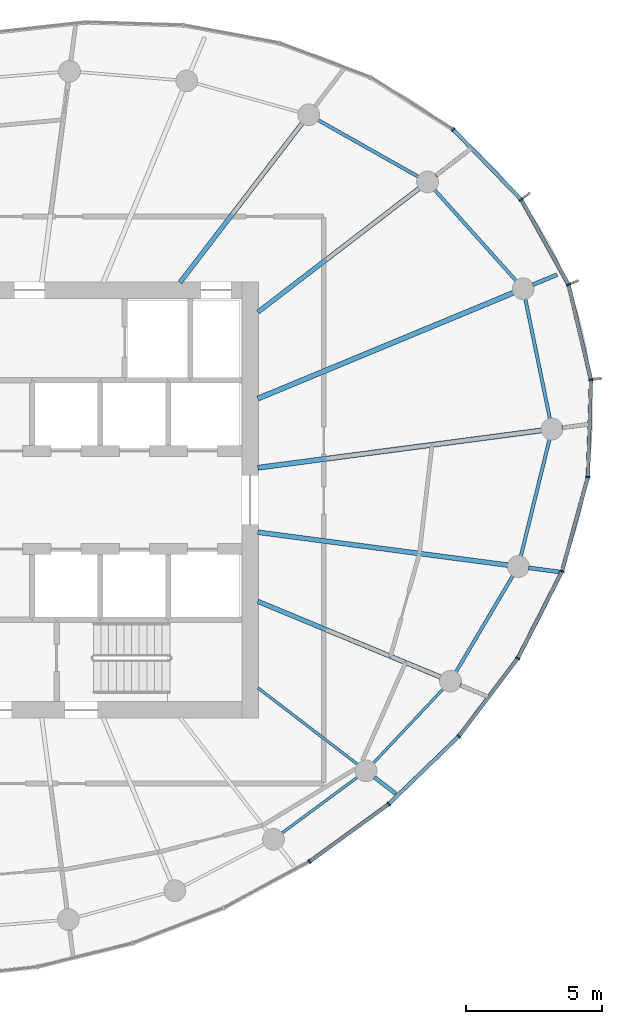
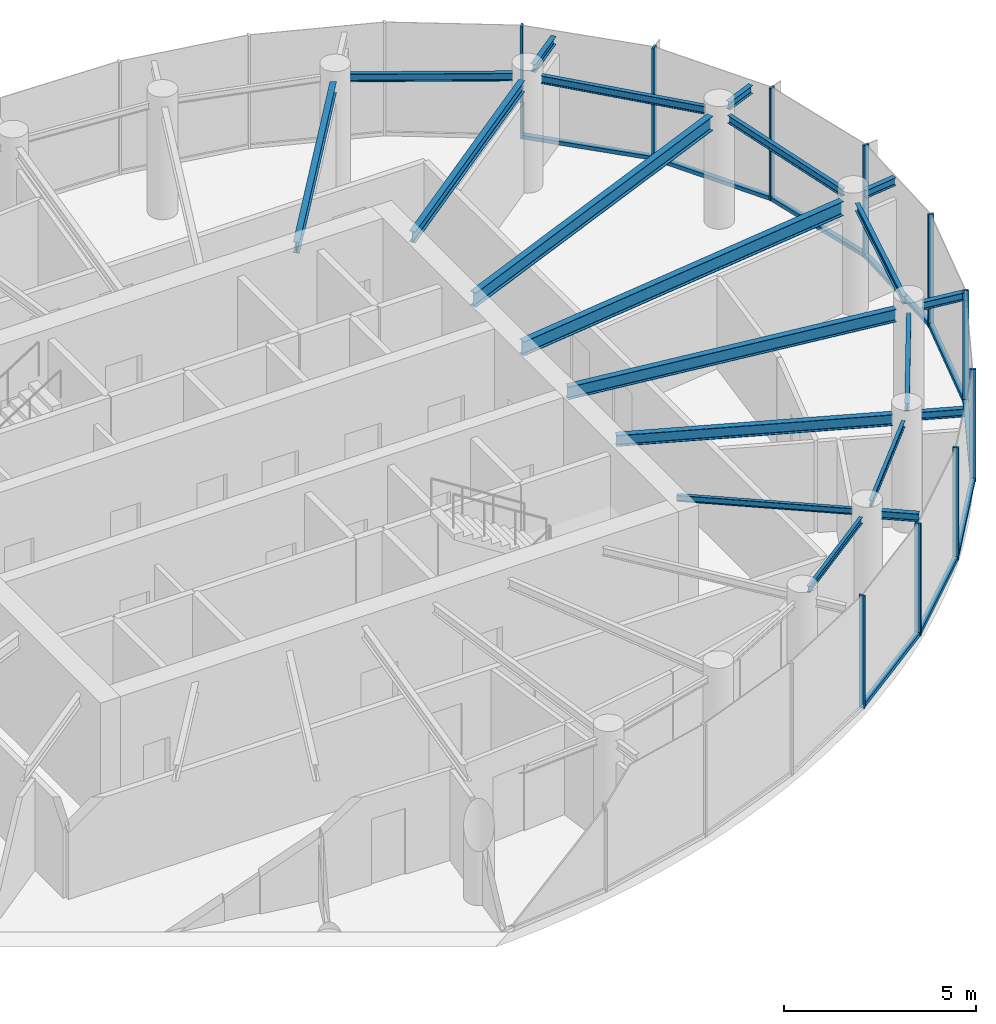
# One storey, part 5 of 13: 20 beams, 19 members, 3 elements without a shape of their own.
"""IFC4 building model written with IfcOpenShell, lengths in metres."""

from ifc_helpers import new_model, si_unit, direction, frame, origin, origin_2d, place, context, subcontext, project, spatial, rectangle, i_section, extrude, source, transform, mapped, material, layer, layer_set, material_profile, profile_set, type_object, element, aggregate, save


model = new_model("IFC4")

# Units and contexts
model_context = context("Model", 3, precision=1e-05, world=origin(), true_north=direction((0.0, 1.0)))
body_context = subcontext(model_context, "Body", "Model", "MODEL_VIEW")
ifc_project = project(units=[si_unit("LENGTHUNIT", "METRE"), si_unit("AREAUNIT", "SQUARE_METRE"), si_unit("VOLUMEUNIT", "CUBIC_METRE"), si_unit("PLANEANGLEUNIT", "RADIAN"), si_unit("MASSUNIT", "GRAM", prefix="KILO")], contexts=[model_context])

# Site, building, storey
site_placement = place(None, origin())
site = spatial("IfcSite", under=ifc_project, at=site_placement, CompositionType="ELEMENT")
building_placement = place(site_placement, origin())
building = spatial("IfcBuilding", under=site, at=building_placement, Name="Spindrift Exchange Tower", CompositionType="ELEMENT")
storey_placement = place(building_placement, frame((0.0, 0.0, 242.300048828125)))
storey = spatial("IfcBuildingStorey", under=building, at=storey_placement, Name="L59", CompositionType="ELEMENT", Elevation=242.300048828125)

# Beams
ifc_material_1 = material(Name="Steel Grade 300", Category="steel")
ifc_material_profile_1 = material_profile(ifc_material_1, i_section(OverallWidth=0.18994140625, OverallDepth=0.4541015625, WebThickness=0.008544921875, FlangeThickness=0.0126953125, FilletRadius=0.013916015625, at=origin_2d()), Name="460UB67.1")
ifc_profile_set_1 = profile_set([ifc_material_profile_1], Name="Steel Grade 300")
beam_type_1 = type_object("IfcBeamType", Name="Floor Beam 460UB67.1 Steel Grade 300", PredefinedType="BEAM", material=ifc_profile_set_1)
shared_shape_1 = source(origin(), body_context, "Body", "SweptSolid", [
    extrude(i_section(OverallWidth=0.18994140625, OverallDepth=0.4541015625, WebThickness=0.008544921875, FlangeThickness=0.0126953125, FilletRadius=0.013916015625, at=origin_2d()), origin(), (0.0, 0.0, 1.0), 10.510009765625),
])
beam_1_placement = place(storey_placement, frame((60.980224609375, 49.182373046875, 3.35302734375), z_axis=(0.991445042488, 0.130524816516, 0.0), x_axis=(-0.130524816516, 0.991445042488, 0.0)))
element("IfcBeam", 1, at=beam_1_placement, inside=storey, type_object=beam_type_1, Name="L59 radial beam R01A", PredefinedType="BEAM", context=body_context, shape_type="MappedRepresentation", body=[
    mapped(shared_shape_1, transform((0.0, 0.0, 0.0), scale=1.0)),
])
shared_shape_2 = source(origin(), body_context, "Body", "SweptSolid", [
    extrude(i_section(OverallWidth=0.18994140625, OverallDepth=0.4541015625, WebThickness=0.008544921875, FlangeThickness=0.0126953125, FilletRadius=0.013916015625, at=origin_2d()), origin(), (0.0, 0.0, 1.0), 10.160400390625),
])
beam_2_placement = place(storey_placement, frame((60.9814453125, 51.72021484375, 3.35302734375), z_axis=(0.923880358773, 0.382681437588, 0.0), x_axis=(-0.382681437588, 0.923880358773, 0.0)))
element("IfcBeam", 2, at=beam_2_placement, inside=storey, type_object=beam_type_1, Name="L59 radial beam R02A", PredefinedType="BEAM", context=body_context, shape_type="MappedRepresentation", body=[
    mapped(shared_shape_2, transform((0.0, 0.0, 0.0), scale=1.0)),
])
ifc_material_profile_2 = material_profile(ifc_material_1, i_section(OverallWidth=0.1708984375, OverallDepth=0.35205078125, WebThickness=0.0068359375, FlangeThickness=0.009765625, FilletRadius=0.013916015625, at=origin_2d()), Name="360UB44.7")
ifc_profile_set_2 = profile_set([ifc_material_profile_2], Name="Steel Grade 300")
beam_type_2 = type_object("IfcBeamType", Name="Floor Beam 360UB44.7 Steel Grade 300", PredefinedType="BEAM", material=ifc_profile_set_2)
shared_shape_3 = source(origin(), body_context, "Body", "SweptSolid", [
    extrude(i_section(OverallWidth=0.1708984375, OverallDepth=0.35205078125, WebThickness=0.0068359375, FlangeThickness=0.009765625, FilletRadius=0.013916015625, at=origin_2d()), origin(), (0.0, 0.0, 1.0), 7.466796875),
])
beam_3_placement = place(storey_placement, frame((60.984130859375, 54.893798828125, 3.404052734375), z_axis=(0.793360004804, 0.608752743548, 0.0), x_axis=(-0.608752743548, 0.793360004804, 0.0)))
element("IfcBeam", 3, at=beam_3_placement, inside=storey, type_object=beam_type_2, Name="L59 radial beam R03A", PredefinedType="BEAM", context=body_context, shape_type="MappedRepresentation", body=[
    mapped(shared_shape_3, transform((0.0, 0.0, 0.0), scale=1.0)),
])
shared_shape_4 = source(origin(), body_context, "Body", "SweptSolid", [
    extrude(i_section(OverallWidth=0.1708984375, OverallDepth=0.35205078125, WebThickness=0.0068359375, FlangeThickness=0.009765625, FilletRadius=0.013916015625, at=origin_2d()), origin(), (0.0, 0.0, 1.0), 7.3740234375),
])
beam_4_placement = place(storey_placement, frame((58.12646484375, 55.984130859375, 3.404052734375), z_axis=(0.608751913917, 0.793360641387, 0.0), x_axis=(-0.793360641387, 0.608751913917, 0.0)))
element("IfcBeam", 4, at=beam_4_placement, inside=storey, type_object=beam_type_2, Name="L59 radial beam R04A", PredefinedType="BEAM", context=body_context, shape_type="MappedRepresentation", body=[
    mapped(shared_shape_4, transform((0.0, 0.0, 0.0), scale=1.0)),
])
ifc_material_profile_3 = material_profile(ifc_material_1, i_section(OverallWidth=0.09912109375, OverallDepth=0.197998046875, WebThickness=0.00439453125, FlangeThickness=0.007080078125, FilletRadius=0.010986328125, at=origin_2d()), Name="200UB18.2")
ifc_profile_set_3 = profile_set([ifc_material_profile_3], Name="Steel Grade 300")
beam_type_3 = type_object("IfcBeamType", Name="Floor Beam 200UB18.2 Steel Grade 300", PredefinedType="BEAM", material=ifc_profile_set_3)
shared_shape_5 = source(origin(), body_context, "Body", "SweptSolid", [
    extrude(i_section(OverallWidth=0.09912109375, OverallDepth=0.197998046875, WebThickness=0.00439453125, FlangeThickness=0.007080078125, FilletRadius=0.010986328125, at=origin_2d()), origin(), (0.0, 0.0, 1.0), 4.622802734375),
])
beam_5_placement = place(storey_placement, frame((60.984130859375, 41.106201171875, 3.48095703125), z_axis=(0.793347882225, -0.608768542033, 0.0), x_axis=(0.608768542033, 0.793347882225, 0.0)))
element("IfcBeam", 5, at=beam_5_placement, inside=storey, type_object=beam_type_3, Name="L59 radial beam R22A", PredefinedType="BEAM", context=body_context, shape_type="MappedRepresentation", body=[
    mapped(shared_shape_5, transform((0.0, 0.0, 0.0), scale=1.0)),
])
shared_shape_6 = source(origin(), body_context, "Body", "SweptSolid", [
    extrude(i_section(OverallWidth=0.1708984375, OverallDepth=0.35205078125, WebThickness=0.0068359375, FlangeThickness=0.009765625, FilletRadius=0.013916015625, at=origin_2d()), origin(), (0.0, 0.0, 1.0), 7.272705078125),
])
beam_6_placement = place(storey_placement, frame((60.9814453125, 44.27978515625, 3.404052734375), z_axis=(0.923874446092, -0.382695711836, 0.0), x_axis=(0.382695711836, 0.923874446092, 0.0)))
element("IfcBeam", 6, at=beam_6_placement, inside=storey, type_object=beam_type_2, Name="L59 radial beam R23A", PredefinedType="BEAM", context=body_context, shape_type="MappedRepresentation", body=[
    mapped(shared_shape_6, transform((0.0, 0.0, 0.0), scale=1.0)),
])
ifc_material_profile_4 = material_profile(ifc_material_1, i_section(OverallWidth=0.177978515625, OverallDepth=0.403076171875, WebThickness=0.007568359375, FlangeThickness=0.010986328125, FilletRadius=0.013916015625, at=origin_2d()), Name="410UB53.7")
ifc_profile_set_4 = profile_set([ifc_material_profile_4], Name="Steel Grade 300")
beam_type_4 = type_object("IfcBeamType", Name="Floor Beam 410UB53.7 Steel Grade 300", PredefinedType="BEAM", material=ifc_profile_set_4)
shared_shape_7 = source(origin(), body_context, "Body", "SweptSolid", [
    extrude(i_section(OverallWidth=0.177978515625, OverallDepth=0.403076171875, WebThickness=0.007568359375, FlangeThickness=0.010986328125, FilletRadius=0.013916015625, at=origin_2d()), origin(), (0.0, 0.0, 1.0), 9.261962890625),
])
beam_7_placement = place(storey_placement, frame((60.980224609375, 46.817626953125, 3.37841796875), z_axis=(0.991447744872, -0.130504288008, 0.0), x_axis=(0.130504288008, 0.991447744872, 0.0)))
element("IfcBeam", 7, at=beam_7_placement, inside=storey, type_object=beam_type_4, Name="L59 radial beam R24A", PredefinedType="BEAM", context=body_context, shape_type="MappedRepresentation", body=[
    mapped(shared_shape_7, transform((0.0, 0.0, 0.0), scale=1.0)),
])
ifc_material_profile_5 = material_profile(ifc_material_1, i_section(OverallWidth=0.1240234375, OverallDepth=0.248046875, WebThickness=0.0048828125, FlangeThickness=0.008056640625, FilletRadius=0.011962890625, at=origin_2d()), Name="250UB25.7")
ifc_profile_set_5 = profile_set([ifc_material_profile_5], Name="Steel Grade 300")
beam_type_5 = type_object("IfcBeamType", Name="Edge Beam 250UB25.7 Steel Grade 300", PredefinedType="SPANDREL", material=ifc_profile_set_5)
shared_shape_8 = source(origin(), body_context, "Body", "SweptSolid", [
    extrude(i_section(OverallWidth=0.1240234375, OverallDepth=0.248046875, WebThickness=0.0048828125, FlangeThickness=0.008056640625, FilletRadius=0.011962890625, at=origin_2d()), origin(), (0.0, 0.0, 1.0), 4.497802734375),
])
beam_8_placement = place(storey_placement, frame((71.700927734375, 50.975830078125, 3.4560546875), z_axis=(-0.201217935785, 0.979546498293, 0.0), x_axis=(-0.979546498293, -0.201217935785, 0.0)))
element("IfcBeam", 8, at=beam_8_placement, inside=storey, type_object=beam_type_5, Name="L59 edge beam E01", PredefinedType="SPANDREL", context=body_context, shape_type="MappedRepresentation", body=[
    mapped(shared_shape_8, transform((0.0, 0.0, 0.0), scale=1.0)),
])
shared_shape_9 = source(origin(), body_context, "Body", "SweptSolid", [
    extrude(i_section(OverallWidth=0.1240234375, OverallDepth=0.248046875, WebThickness=0.0048828125, FlangeThickness=0.008056640625, FilletRadius=0.011962890625, at=origin_2d()), origin(), (0.0, 0.0, 1.0), 4.499755859375),
])
beam_9_placement = place(storey_placement, frame((70.466064453125, 56.036865234375, 3.4560546875), z_axis=(-0.667419502646, 0.744681950558, 0.0), x_axis=(-0.744681950558, -0.667419502646, 0.0)))
element("IfcBeam", 9, at=beam_9_placement, inside=storey, type_object=beam_type_5, Name="L59 edge beam E02", PredefinedType="SPANDREL", context=body_context, shape_type="MappedRepresentation", body=[
    mapped(shared_shape_9, transform((0.0, 0.0, 0.0), scale=1.0)),
])
shared_shape_10 = source(origin(), body_context, "Body", "SweptSolid", [
    extrude(i_section(OverallWidth=0.1240234375, OverallDepth=0.248046875, WebThickness=0.0048828125, FlangeThickness=0.008056640625, FilletRadius=0.011962890625, at=origin_2d()), origin(), (0.0, 0.0, 1.0), 4.2509765625),
])
beam_10_placement = place(storey_placement, frame((66.878662109375, 59.857666015625, 3.4560546875), z_axis=(-0.870615246867, 0.491964523033, 0.0), x_axis=(-0.491964523033, -0.870615246867, 0.0)))
element("IfcBeam", 10, at=beam_10_placement, inside=storey, type_object=beam_type_5, Name="L59 edge beam E03", PredefinedType="SPANDREL", context=body_context, shape_type="MappedRepresentation", body=[
    mapped(shared_shape_10, transform((0.0, 0.0, 0.0), scale=1.0)),
])
ifc_material_profile_6 = material_profile(ifc_material_1, i_section(OverallWidth=0.09912109375, OverallDepth=0.197998046875, WebThickness=0.00439453125, FlangeThickness=0.007080078125, FilletRadius=0.010986328125, at=origin_2d()), Name="200UB18.2")
ifc_profile_set_6 = profile_set([ifc_material_profile_6], Name="Steel Grade 300")
beam_type_6 = type_object("IfcBeamType", Name="Edge Beam 200UB18.2 Steel Grade 300", PredefinedType="SPANDREL", material=ifc_profile_set_6)
shared_shape_11 = source(origin(), body_context, "Body", "SweptSolid", [
    extrude(i_section(OverallWidth=0.09912109375, OverallDepth=0.197998046875, WebThickness=0.00439453125, FlangeThickness=0.007080078125, FilletRadius=0.010986328125, at=origin_2d()), origin(), (0.0, 0.0, 1.0), 3.466552734375),
])
beam_11_placement = place(storey_placement, frame((61.861083984375, 35.772705078125, 3.48095703125), z_axis=(0.803854022168, 0.594826622676, 0.0), x_axis=(-0.594826622676, 0.803854022168, 0.0)))
element("IfcBeam", 11, at=beam_11_placement, inside=storey, type_object=beam_type_6, Name="L59 edge beam E21", PredefinedType="SPANDREL", context=body_context, shape_type="MappedRepresentation", body=[
    mapped(shared_shape_11, transform((0.0, 0.0, 0.0), scale=1.0)),
])
shared_shape_12 = source(origin(), body_context, "Body", "SweptSolid", [
    extrude(i_section(OverallWidth=0.09912109375, OverallDepth=0.197998046875, WebThickness=0.00439453125, FlangeThickness=0.007080078125, FilletRadius=0.010986328125, at=origin_2d()), origin(), (0.0, 0.0, 1.0), 3.759765625),
])
beam_12_placement = place(storey_placement, frame((65.213623046875, 38.33740234375, 3.48095703125), z_axis=(0.685520646854, 0.72805318675, 0.0), x_axis=(-0.72805318675, 0.685520646854, 0.0)))
element("IfcBeam", 12, at=beam_12_placement, inside=storey, type_object=beam_type_6, Name="L59 edge beam E22", PredefinedType="SPANDREL", context=body_context, shape_type="MappedRepresentation", body=[
    mapped(shared_shape_12, transform((0.0, 0.0, 0.0), scale=1.0)),
])
shared_shape_13 = source(origin(), body_context, "Body", "SweptSolid", [
    extrude(i_section(OverallWidth=0.1240234375, OverallDepth=0.248046875, WebThickness=0.0048828125, FlangeThickness=0.008056640625, FilletRadius=0.011962890625, at=origin_2d()), origin(), (0.0, 0.0, 1.0), 4.128662109375),
])
beam_13_placement = place(storey_placement, frame((68.244873046875, 41.678466796875, 3.4560546875), z_axis=(0.509067946458, 0.860726336235, 0.0), x_axis=(-0.860726336235, 0.509067946458, 0.0)))
element("IfcBeam", 13, at=beam_13_placement, inside=storey, type_object=beam_type_5, Name="L59 edge beam E23", PredefinedType="SPANDREL", context=body_context, shape_type="MappedRepresentation", body=[
    mapped(shared_shape_13, transform((0.0, 0.0, 0.0), scale=1.0)),
])
shared_shape_14 = source(origin(), body_context, "Body", "SweptSolid", [
    extrude(i_section(OverallWidth=0.1240234375, OverallDepth=0.248046875, WebThickness=0.0048828125, FlangeThickness=0.008056640625, FilletRadius=0.011962890625, at=origin_2d()), origin(), (0.0, 0.0, 1.0), 4.43408203125),
])
beam_14_placement = place(storey_placement, frame((70.630615234375, 45.92822265625, 3.4560546875), z_axis=(0.238193109804, 0.971217814109, 0.0), x_axis=(-0.971217814109, 0.238193109804, 0.0)))
element("IfcBeam", 14, at=beam_14_placement, inside=storey, type_object=beam_type_5, Name="L59 edge beam E24", PredefinedType="SPANDREL", context=body_context, shape_type="MappedRepresentation", body=[
    mapped(shared_shape_14, transform((0.0, 0.0, 0.0), scale=1.0)),
])
ifc_material_profile_7 = material_profile(ifc_material_1, i_section(OverallWidth=0.14599609375, OverallDepth=0.251953125, WebThickness=0.006103515625, FlangeThickness=0.008544921875, FilletRadius=0.011962890625, at=origin_2d()), Name="250UB31.4")
ifc_profile_set_7 = profile_set([ifc_material_profile_7], Name="Steel Grade 300")
beam_type_7 = type_object("IfcBeamType", Name="Cantilever Beam 250UB31.4 Steel Grade 300", PredefinedType="BEAM", material=ifc_profile_set_7)
shared_shape_15 = source(origin(), body_context, "Body", "SweptSolid", [
    extrude(i_section(OverallWidth=0.14599609375, OverallDepth=0.251953125, WebThickness=0.006103515625, FlangeThickness=0.008544921875, FilletRadius=0.011962890625, at=origin_2d()), origin(), (0.0, 0.0, 1.0), 0.974609375),
])
beam_15_placement = place(storey_placement, frame((72.154052734375, 50.6533203125, 3.453857421875), z_axis=(0.991447473438, 0.130506350091, 0.0), x_axis=(-0.130506350091, 0.991447473438, 0.0)))
element("IfcBeam", 15, at=beam_15_placement, inside=storey, type_object=beam_type_7, Name="L59 cantilever beam R01T", PredefinedType="BEAM", context=body_context, shape_type="MappedRepresentation", body=[
    mapped(shared_shape_15, transform((0.0, 0.0, 0.0), scale=1.0)),
])
shared_shape_16 = source(origin(), body_context, "Body", "SweptSolid", [
    extrude(i_section(OverallWidth=0.14599609375, OverallDepth=0.251953125, WebThickness=0.006103515625, FlangeThickness=0.008544921875, FilletRadius=0.011962890625, at=origin_2d()), origin(), (0.0, 0.0, 1.0), 0.968017578125),
])
beam_16_placement = place(storey_placement, frame((71.07080078125, 55.8994140625, 3.453857421875), z_axis=(0.923903097912, 0.382626535499, 0.0), x_axis=(-0.382626535499, 0.923903097912, 0.0)))
element("IfcBeam", 16, at=beam_16_placement, inside=storey, type_object=beam_type_7, Name="L59 cantilever beam R02T", PredefinedType="BEAM", context=body_context, shape_type="MappedRepresentation", body=[
    mapped(shared_shape_16, transform((0.0, 0.0, 0.0), scale=1.0)),
])
shared_shape_17 = source(origin(), body_context, "Body", "SweptSolid", [
    extrude(i_section(OverallWidth=0.14599609375, OverallDepth=0.251953125, WebThickness=0.006103515625, FlangeThickness=0.008544921875, FilletRadius=0.011962890625, at=origin_2d()), origin(), (0.0, 0.0, 1.0), 1.402099609375),
])
beam_17_placement = place(storey_placement, frame((67.510986328125, 59.90185546875, 3.453857421875), z_axis=(0.793264343433, 0.608877394422, 0.0), x_axis=(-0.608877394422, 0.793264343433, 0.0)))
element("IfcBeam", 17, at=beam_17_placement, inside=storey, type_object=beam_type_7, Name="L59 cantilever beam R03T", PredefinedType="BEAM", context=body_context, shape_type="MappedRepresentation", body=[
    mapped(shared_shape_17, transform((0.0, 0.0, 0.0), scale=1.0)),
])
shared_shape_18 = source(origin(), body_context, "Body", "SweptSolid", [
    extrude(i_section(OverallWidth=0.14599609375, OverallDepth=0.251953125, WebThickness=0.006103515625, FlangeThickness=0.008544921875, FilletRadius=0.011962890625, at=origin_2d()), origin(), (0.0, 0.0, 1.0), 0.989990234375),
])
beam_18_placement = place(storey_placement, frame((65.25439453125, 37.829345703125, 3.453857421875), z_axis=(0.793411811923, -0.608685219716, 0.0), x_axis=(0.608685219716, 0.793411811923, 0.0)))
element("IfcBeam", 18, at=beam_18_placement, inside=storey, type_object=beam_type_7, Name="L59 cantilever beam R22T", PredefinedType="BEAM", context=body_context, shape_type="MappedRepresentation", body=[
    mapped(shared_shape_18, transform((0.0, 0.0, 0.0), scale=1.0)),
])
shared_shape_19 = source(origin(), body_context, "Body", "SweptSolid", [
    extrude(i_section(OverallWidth=0.14599609375, OverallDepth=0.251953125, WebThickness=0.006103515625, FlangeThickness=0.008544921875, FilletRadius=0.011962890625, at=origin_2d()), origin(), (0.0, 0.0, 1.0), 1.110595703125),
])
beam_19_placement = place(storey_placement, frame((68.402587890625, 41.205810546875, 3.453857421875), z_axis=(0.92387483862, -0.382694764225, 0.0), x_axis=(0.382694764225, 0.92387483862, 0.0)))
element("IfcBeam", 19, at=beam_19_placement, inside=storey, type_object=beam_type_7, Name="L59 cantilever beam R23T", PredefinedType="BEAM", context=body_context, shape_type="MappedRepresentation", body=[
    mapped(shared_shape_19, transform((0.0, 0.0, 0.0), scale=1.0)),
])
shared_shape_20 = source(origin(), body_context, "Body", "SweptSolid", [
    extrude(i_section(OverallWidth=0.14599609375, OverallDepth=0.251953125, WebThickness=0.006103515625, FlangeThickness=0.008544921875, FilletRadius=0.011962890625, at=origin_2d()), origin(), (0.0, 0.0, 1.0), 1.13134765625),
])
beam_20_placement = place(storey_placement, frame((70.916748046875, 45.509521484375, 3.453857421875), z_axis=(0.991439598184, -0.130566163888, 0.0), x_axis=(0.130566163888, 0.991439598184, 0.0)))
element("IfcBeam", 20, at=beam_20_placement, inside=storey, type_object=beam_type_7, Name="L59 cantilever beam R24T", PredefinedType="BEAM", context=body_context, shape_type="MappedRepresentation", body=[
    mapped(shared_shape_20, transform((0.0, 0.0, 0.0), scale=1.0)),
])

# Curtain wall, members
ifc_material_2 = material(Name="Fritted laminated glass with bronze frame", Category="glass")
ifc_layer = layer(ifc_material_2, 0.159912109375)
ifc_layer_set = layer_set([ifc_layer], Name="ZONE 5 BRONZE FRITTED WALL")
curtain_wall_type = type_object("IfcCurtainWallType", Name="ZONE 5 BRONZE FRITTED WALL", PredefinedType="NOTDEFINED", material=ifc_layer_set)
curtain_wall_1_placement = place(storey_placement, origin())
curtain_wall_1 = element("IfcCurtainWall", 21, at=curtain_wall_1_placement, inside=storey, type_object=curtain_wall_type, Name="L59 Zone 5 Bronze Fritted Wall run 5", PredefinedType="NOTDEFINED")
ifc_material_3 = material(Name="Bronze anodised aluminium", Category="aluminium")
ifc_material_profile_8 = material_profile(ifc_material_3, rectangle(XDim=0.139892578125, YDim=0.1201171875, at=origin_2d()), Name="ZONE 5 BRONZE FRITTED WALL TRANSOM 140X120")
ifc_profile_set_8 = profile_set([ifc_material_profile_8], Name="Bronze anodised aluminium")
member_type_1 = type_object("IfcMemberType", Name="ZONE 5 BRONZE FRITTED WALL TRANSOM 140X120", PredefinedType="USERDEFINED", material=ifc_profile_set_8)
shared_shape_21 = source(origin(), body_context, "Body", "SweptSolid", [
    extrude(rectangle(XDim=0.139892578125, YDim=0.1201171875, at=origin_2d()), origin(), (0.0, 0.0, 1.0), 3.52587890625),
])
member_1_placement = place(storey_placement, frame((62.904052734375, 34.748779296875, 0.06005859375), z_axis=(0.80904738199, 0.587743425054, 0.0), x_axis=(-0.587743425054, 0.80904738199, 0.0)))
member_1 = element("IfcMember", 22, at=member_1_placement, type_object=member_type_1, Name="L59 transom CW-5.28", ObjectType="TRANSOM", PredefinedType="USERDEFINED", context=body_context, shape_type="MappedRepresentation", body=[
    mapped(shared_shape_21, transform((0.0, 0.0, 0.0), scale=1.0)),
])
shared_shape_22 = source(origin(), body_context, "Body", "SweptSolid", [
    extrude(rectangle(XDim=0.139892578125, YDim=0.1201171875, at=origin_2d()), origin(), (0.0, 0.0, 1.0), 3.525390625),
])
member_2_placement = place(storey_placement, frame((65.802490234375, 36.859619140625, 0.06005859375), z_axis=(0.718747250012, 0.695271451018, 0.0), x_axis=(-0.695271451018, 0.718747250012, 0.0)))
member_2 = element("IfcMember", 23, at=member_2_placement, type_object=member_type_1, Name="L59 transom CW-5.29", ObjectType="TRANSOM", PredefinedType="USERDEFINED", context=body_context, shape_type="MappedRepresentation", body=[
    mapped(shared_shape_22, transform((0.0, 0.0, 0.0), scale=1.0)),
])

curtain_wall_2_placement = place(storey_placement, origin())
curtain_wall_2 = element("IfcCurtainWall", 24, at=curtain_wall_2_placement, inside=storey, type_object=curtain_wall_type, Name="L59 Zone 5 Bronze Fritted Wall run 6", PredefinedType="NOTDEFINED")
shared_shape_23 = source(origin(), body_context, "Body", "SweptSolid", [
    extrude(rectangle(XDim=0.139892578125, YDim=0.1201171875, at=origin_2d()), origin(), (0.0, 0.0, 1.0), 3.521484375),
])
member_3_placement = place(storey_placement, frame((72.1533203125, 45.413818359375, 0.06005859375), z_axis=(0.264284617773, 0.964444731858, 0.0), x_axis=(-0.964444731858, 0.264284617773, 0.0)))
member_3 = element("IfcMember", 25, at=member_3_placement, type_object=member_type_1, Name="L59 transom CW-5.32", ObjectType="TRANSOM", PredefinedType="USERDEFINED", context=body_context, shape_type="MappedRepresentation", body=[
    mapped(shared_shape_23, transform((0.0, 0.0, 0.0), scale=1.0)),
])
shared_shape_24 = source(origin(), body_context, "Body", "SweptSolid", [
    extrude(rectangle(XDim=0.139892578125, YDim=0.1201171875, at=origin_2d()), origin(), (0.0, 0.0, 1.0), 3.517333984375),
])
member_4_placement = place(storey_placement, frame((73.198486328125, 52.44580078125, 0.06005859375), z_axis=(-0.22995613003, 0.973200995818, 0.0), x_axis=(-0.973200995818, -0.22995613003, 0.0)))
member_4 = element("IfcMember", 26, at=member_4_placement, type_object=member_type_1, Name="L59 transom CW-5.34", ObjectType="TRANSOM", PredefinedType="USERDEFINED", context=body_context, shape_type="MappedRepresentation", body=[
    mapped(shared_shape_24, transform((0.0, 0.0, 0.0), scale=1.0)),
])

# Curtain wall, member
curtain_wall_3_placement = place(storey_placement, origin())
curtain_wall_3 = element("IfcCurtainWall", 27, at=curtain_wall_3_placement, inside=storey, type_object=curtain_wall_type, Name="L59 Zone 5 Bronze Fritted Wall run 1", PredefinedType="NOTDEFINED")
shared_shape_25 = source(origin(), body_context, "Body", "SweptSolid", [
    extrude(rectangle(XDim=0.139892578125, YDim=0.1201171875, at=origin_2d()), origin(), (0.0, 0.0, 1.0), 3.51953125),
])
member_5_placement = place(storey_placement, frame((70.623779296875, 59.046630859375, 0.06005859375), z_axis=(-0.69694168054, 0.717127808641, 0.0), x_axis=(-0.717127808641, -0.69694168054, 0.0)))
member_5 = element("IfcMember", 28, at=member_5_placement, type_object=member_type_1, Name="L59 transom CW-5.2", ObjectType="TRANSOM", PredefinedType="USERDEFINED", context=body_context, shape_type="MappedRepresentation", body=[
    mapped(shared_shape_25, transform((0.0, 0.0, 0.0), scale=1.0)),
])

# Member
shared_shape_26 = source(origin(), body_context, "Body", "SweptSolid", [
    extrude(rectangle(XDim=0.139892578125, YDim=0.1201171875, at=origin_2d()), origin(), (0.0, 0.0, 1.0), 3.5234375),
])
member_6_placement = place(storey_placement, frame((70.53271484375, 42.218505859375, 0.06005859375), z_axis=(0.453853120794, 0.891076508918, 0.0), x_axis=(-0.891076508918, 0.453853120794, 0.0)))
member_6 = element("IfcMember", 29, at=member_6_placement, type_object=member_type_1, Name="L59 transom CW-5.31", ObjectType="TRANSOM", PredefinedType="USERDEFINED", context=body_context, shape_type="MappedRepresentation", body=[
    mapped(shared_shape_26, transform((0.0, 0.0, 0.0), scale=1.0)),
])

shared_shape_27 = source(origin(), body_context, "Body", "SweptSolid", [
    extrude(rectangle(XDim=0.139892578125, YDim=0.1201171875, at=origin_2d()), origin(), (0.0, 0.0, 1.0), 3.517578125),
])
member_7_placement = place(storey_placement, frame((72.3681640625, 55.92431640625, 0.06005859375), z_axis=(-0.485849174385, 0.874042664719, 0.0), x_axis=(-0.874042664719, -0.485849174385, 0.0)))
member_7 = element("IfcMember", 30, at=member_7_placement, type_object=member_type_1, Name="L59 transom CW-5.1", ObjectType="TRANSOM", PredefinedType="USERDEFINED", context=body_context, shape_type="MappedRepresentation", body=[
    mapped(shared_shape_27, transform((0.0, 0.0, 0.0), scale=1.0)),
])

ifc_material_profile_9 = material_profile(ifc_material_3, rectangle(XDim=0.06005859375, YDim=0.159912109375, at=origin_2d()), Name="ZONE 5 BRONZE FRITTED WALL MULLION 60X160")
ifc_profile_set_9 = profile_set([ifc_material_profile_9], Name="Bronze anodised aluminium")
member_type_2 = type_object("IfcMemberType", Name="ZONE 5 BRONZE FRITTED WALL MULLION 60X160", PredefinedType="MULLION", material=ifc_profile_set_9)
shared_shape_28 = source(origin(), body_context, "Body", "SweptSolid", [
    extrude(rectangle(XDim=0.06005859375, YDim=0.159912109375, at=origin_2d()), origin(), (0.0, 0.0, 1.0), 3.579833984375),
])
member_8_placement = place(storey_placement, frame((72.3828125, 55.898193359375, 0.0), z_axis=(0.0, 0.0, 1.0), x_axis=(-0.361318531407, 0.932442448016, 0.0)))
member_8 = element("IfcMember", 31, at=member_8_placement, type_object=member_type_2, Name="L59 mullion CW-5.1", PredefinedType="MULLION", context=body_context, shape_type="MappedRepresentation", body=[
    mapped(shared_shape_28, transform((0.0, 0.0, 0.0), scale=1.0)),
])

member_9_placement = place(storey_placement, frame((70.64453125, 59.025146484375, 0.0), z_axis=(0.0, 0.0, 1.0), x_axis=(-0.596562144951, 0.802566886441, 0.0)))
member_9 = element("IfcMember", 32, at=member_9_placement, type_object=member_type_2, Name="L59 mullion CW-5.2", PredefinedType="MULLION", context=body_context, shape_type="MappedRepresentation", body=[
    mapped(shared_shape_28, transform((0.0, 0.0, 0.0), scale=1.0)),
])

member_10_placement = place(storey_placement, frame((68.150146484375, 61.592041015625, 0.0), z_axis=(0.0, 0.0, 1.0), x_axis=(-0.776392486348, 0.630249718082, 0.0)))
member_10 = element("IfcMember", 33, at=member_10_placement, type_object=member_type_2, Name="L59 mullion CW-5.3", PredefinedType="MULLION", context=body_context, shape_type="MappedRepresentation", body=[
    mapped(shared_shape_28, transform((0.0, 0.0, 0.0), scale=1.0)),
])

aggregate(curtain_wall_3, [member_8, member_7, member_9, member_5, member_10])

member_11_placement = place(storey_placement, frame((62.8798828125, 34.731201171875, 0.0), z_axis=(0.0, 0.0, 1.0), x_axis=(0.845887522397, 0.533361321669, 0.0)))
member_11 = element("IfcMember", 34, at=member_11_placement, type_object=member_type_2, Name="L59 mullion CW-5.28", PredefinedType="MULLION", context=body_context, shape_type="MappedRepresentation", body=[
    mapped(shared_shape_28, transform((0.0, 0.0, 0.0), scale=1.0)),
])

member_12_placement = place(storey_placement, frame((65.781005859375, 36.8388671875, 0.0), z_axis=(0.0, 0.0, 1.0), x_axis=(0.76578999216, 0.643090730697, 0.0)))
member_12 = element("IfcMember", 35, at=member_12_placement, type_object=member_type_2, Name="L59 mullion CW-5.29", PredefinedType="MULLION", context=body_context, shape_type="MappedRepresentation", body=[
    mapped(shared_shape_28, transform((0.0, 0.0, 0.0), scale=1.0)),
])

member_13_placement = place(storey_placement, frame((68.358154296875, 39.33154296875, 0.0), z_axis=(0.0, 0.0, 1.0), x_axis=(0.662806387963, 0.748790819973, 0.0)))
member_13 = element("IfcMember", 36, at=member_13_placement, type_object=member_type_2, Name="L59 mullion CW-5.30", PredefinedType="MULLION", context=body_context, shape_type="MappedRepresentation", body=[
    mapped(shared_shape_28, transform((0.0, 0.0, 0.0), scale=1.0)),
])

member_14_placement = place(storey_placement, frame((70.519287109375, 42.191650390625, 0.0), z_axis=(0.0, 0.0, 1.0), x_axis=(0.530402570769, 0.847745901153, 0.0)))
member_14 = element("IfcMember", 37, at=member_14_placement, type_object=member_type_2, Name="L59 mullion CW-5.31", PredefinedType="MULLION", context=body_context, shape_type="MappedRepresentation", body=[
    mapped(shared_shape_28, transform((0.0, 0.0, 0.0), scale=1.0)),
])

member_15_placement = place(storey_placement, frame((72.1455078125, 45.384765625, 0.0), z_axis=(0.0, 0.0, 1.0), x_axis=(0.360898209151, 0.932605212634, 0.0)))
member_15 = element("IfcMember", 38, at=member_15_placement, type_object=member_type_2, Name="L59 mullion CW-5.32", PredefinedType="MULLION", context=body_context, shape_type="MappedRepresentation", body=[
    mapped(shared_shape_28, transform((0.0, 0.0, 0.0), scale=1.0)),
])

member_16_placement = place(storey_placement, frame((73.091796875, 48.839111328125, 0.0), z_axis=(0.0, 0.0, 1.0), x_axis=(0.149009255826, 0.988835801171, 0.0)))
member_16 = element("IfcMember", 39, at=member_16_placement, type_object=member_type_2, Name="L59 mullion CW-5.33", PredefinedType="MULLION", context=body_context, shape_type="MappedRepresentation", body=[
    mapped(shared_shape_28, transform((0.0, 0.0, 0.0), scale=1.0)),
])

member_17_placement = place(storey_placement, frame((73.205322265625, 52.41650390625, 0.0), z_axis=(0.0, 0.0, 1.0), x_axis=(-0.099978853109, 0.994989562222, 0.0)))
member_17 = element("IfcMember", 40, at=member_17_placement, type_object=member_type_2, Name="L59 mullion CW-5.34", PredefinedType="MULLION", context=body_context, shape_type="MappedRepresentation", body=[
    mapped(shared_shape_28, transform((0.0, 0.0, 0.0), scale=1.0)),
])

shared_shape_29 = source(origin(), body_context, "Body", "SweptSolid", [
    extrude(rectangle(XDim=0.139892578125, YDim=0.1201171875, at=origin_2d()), origin(), (0.0, 0.0, 1.0), 3.52490234375),
])
member_18_placement = place(storey_placement, frame((68.376220703125, 39.35546875, 0.06005859375), z_axis=(0.602866402904, 0.797842152465, 0.0), x_axis=(-0.797842152465, 0.602866402904, 0.0)))
member_18 = element("IfcMember", 41, at=member_18_placement, type_object=member_type_1, Name="L59 transom CW-5.30", ObjectType="TRANSOM", PredefinedType="USERDEFINED", context=body_context, shape_type="MappedRepresentation", body=[
    mapped(shared_shape_29, transform((0.0, 0.0, 0.0), scale=1.0)),
])

aggregate(curtain_wall_1, [member_11, member_1, member_12, member_2, member_13, member_18])

shared_shape_30 = source(origin(), body_context, "Body", "SweptSolid", [
    extrude(rectangle(XDim=0.139892578125, YDim=0.1201171875, at=origin_2d()), origin(), (0.0, 0.0, 1.0), 3.51904296875),
])
member_19_placement = place(storey_placement, frame((73.0927734375, 48.869140625, 0.06005859375), z_axis=(0.031704744648, 0.999497278219, 0.0), x_axis=(-0.999497278219, 0.031704744648, 0.0)))
member_19 = element("IfcMember", 42, at=member_19_placement, type_object=member_type_1, Name="L59 transom CW-5.33", ObjectType="TRANSOM", PredefinedType="USERDEFINED", context=body_context, shape_type="MappedRepresentation", body=[
    mapped(shared_shape_30, transform((0.0, 0.0, 0.0), scale=1.0)),
])

aggregate(curtain_wall_2, [member_14, member_6, member_15, member_3, member_16, member_19, member_17, member_4])

save(model, "model.ifc")
